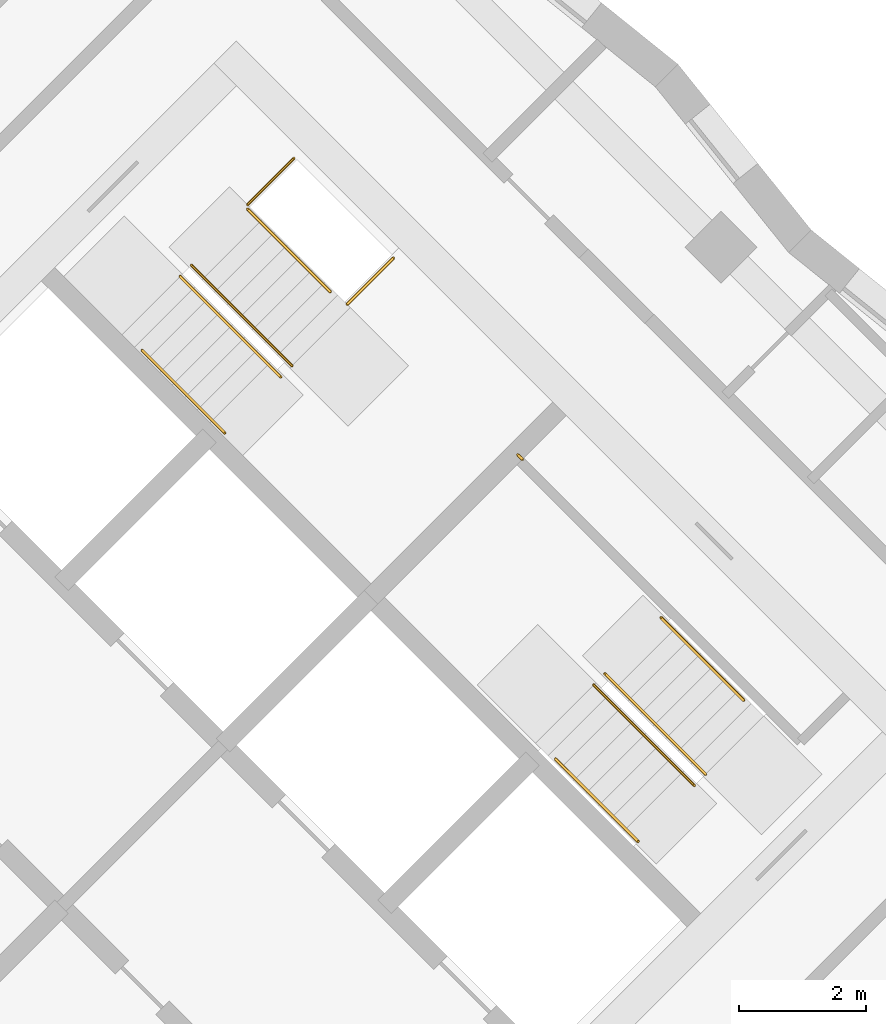
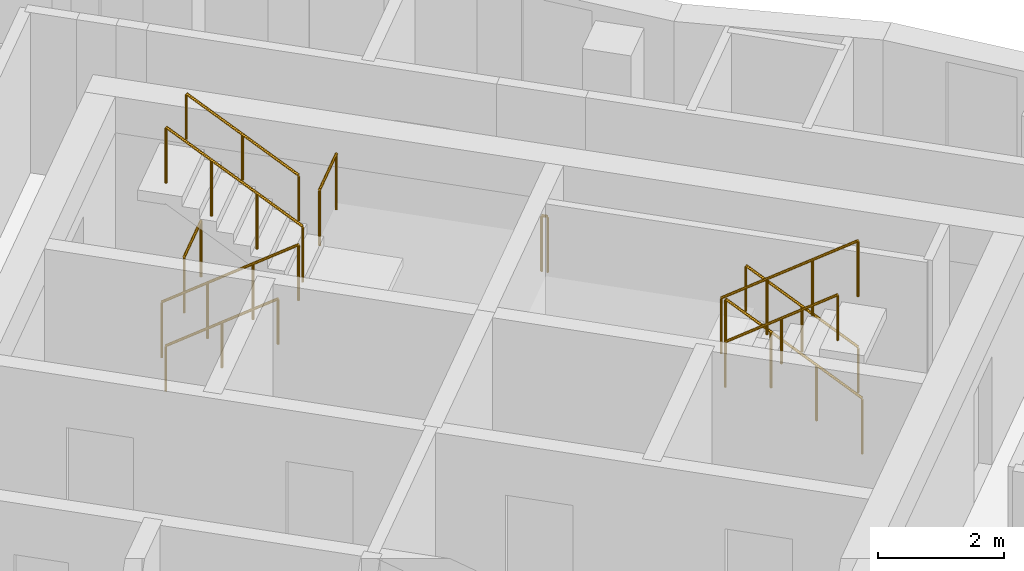
# One storey, part 11 of 11: 11 railings.
"""IFC4 building model written with IfcOpenShell, lengths in metres."""

from ifc_helpers import new_model, si_unit, direction, frame, origin, origin_2d, place, context, subcontext, project, spatial, circle, extrude, material, type_object, element, save


model = new_model("IFC4")

# Units and contexts
model_context = context("Model", 3, precision=1e-05, world=origin(), true_north=direction((0.0, 1.0)))
body_context = subcontext(model_context, "Body", "Model", "MODEL_VIEW")
ifc_project = project(units=[si_unit("LENGTHUNIT", "METRE"), si_unit("AREAUNIT", "SQUARE_METRE"), si_unit("VOLUMEUNIT", "CUBIC_METRE"), si_unit("PLANEANGLEUNIT", "RADIAN"), si_unit("MASSUNIT", "GRAM", prefix="KILO")], contexts=[model_context])

# Site, building, storey
site_placement = place(None, origin())
site = spatial("IfcSite", under=ifc_project, at=site_placement, CompositionType="ELEMENT")
building_placement = place(site_placement, origin())
building = spatial("IfcBuilding", under=site, at=building_placement, Name="Windrow Commons", CompositionType="ELEMENT")
storey_placement = place(building_placement, frame((0.0, 0.0, 196.4)))
storey = spatial("IfcBuildingStorey", under=building, at=storey_placement, Name="L53", CompositionType="ELEMENT", Elevation=196.4)

# Railings
ifc_material_1 = material(Name="Steel S355", Category="steel")
railing_type_1 = type_object("IfcRailingType", Name="Core stair guard 1100", PredefinedType="GUARDRAIL", material=ifc_material_1)
railing_1_placement = place(storey_placement, frame((85.9529, 56.2669, 0.1889)))
element("IfcRailing", 1, at=railing_1_placement, inside=storey, type_object=railing_type_1, Name="L53 ST-B1 stair guard 1", PredefinedType="GUARDRAIL", context=body_context, shape_type="SweptSolid", body=[
    extrude(circle(Radius=0.024, at=origin_2d()), frame((0.0, 0.0, 1.076), z_axis=(0.5861914914, -0.5861914914, 0.5592486664), x_axis=(0.7071067812, 0.7071067812, 0.0)), (0.0, 0.0, 1.0), 2.702),
    extrude(circle(Radius=0.021, at=origin_2d()), origin(), (0.0, 0.0, 1.0), 1.052),
    extrude(circle(Radius=0.021, at=origin_2d()), frame((0.528, -0.528, 0.5037)), (0.0, 0.0, 1.0), 1.052),
    extrude(circle(Radius=0.021, at=origin_2d()), frame((1.0559, -1.0559, 1.0074)), (0.0, 0.0, 1.0), 1.052),
    extrude(circle(Radius=0.021, at=origin_2d()), frame((1.5839, -1.5839, 1.5111)), (0.0, 0.0, 1.0), 1.052),
])
railing_2_placement = place(storey_placement, frame((87.7136, 54.8597, 1.8889)))
element("IfcRailing", 2, at=railing_2_placement, inside=storey, type_object=railing_type_1, Name="L53 ST-B1 stair guard 2", PredefinedType="GUARDRAIL", context=body_context, shape_type="SweptSolid", body=[
    extrude(circle(Radius=0.024, at=origin_2d()), frame((0.0, 0.0, 1.076), z_axis=(-0.5862030657, 0.5862030657, 0.5592244018), x_axis=(-0.7071067812, -0.7071067812, 0.0)), (0.0, 0.0, 1.0), 2.7021),
    extrude(circle(Radius=0.021, at=origin_2d()), origin(), (0.0, 0.0, 1.0), 1.052),
    extrude(circle(Radius=0.021, at=origin_2d()), frame((-0.528, 0.528, 0.5037)), (0.0, 0.0, 1.0), 1.052),
    extrude(circle(Radius=0.021, at=origin_2d()), frame((-1.056, 1.056, 1.0074)), (0.0, 0.0, 1.0), 1.052),
    extrude(circle(Radius=0.021, at=origin_2d()), frame((-1.584, 1.584, 1.5111)), (0.0, 0.0, 1.0), 1.052),
])
railing_3_placement = place(storey_placement, frame((87.0135, 57.3982, 0.0)))
element("IfcRailing", 3, at=railing_3_placement, inside=storey, type_object=railing_type_1, Name="L53 ST-B1 stair guard 3", PredefinedType="GUARDRAIL", context=body_context, shape_type="SweptSolid", body=[
    extrude(circle(Radius=0.024, at=origin_2d()), frame((0.0, 0.0, 1.076), z_axis=(0.7070582378, 0.7071553212, 0.0), x_axis=(-0.7071553212, 0.7070582378, 0.0)), (0.0, 0.0, 1.0), 1.03),
    extrude(circle(Radius=0.021, at=origin_2d()), origin(), (0.0, 0.0, 1.0), 1.052),
    extrude(circle(Radius=0.021, at=origin_2d()), frame((0.7283, 0.7284, 0.0)), (0.0, 0.0, 1.0), 1.052),
])
railing_4_placement = place(storey_placement, frame((88.5833, 55.8285, 1.7)))
element("IfcRailing", 4, at=railing_4_placement, inside=storey, type_object=railing_type_1, Name="L53 ST-B1 stair guard 4", PredefinedType="GUARDRAIL", context=body_context, shape_type="SweptSolid", body=[
    extrude(circle(Radius=0.024, at=origin_2d()), frame((0.0, 0.0, 1.076), z_axis=(0.7071067812, 0.7071067812, 0.0), x_axis=(-0.7071067812, 0.7071067812, 0.0)), (0.0, 0.0, 1.0), 1.03),
    extrude(circle(Radius=0.021, at=origin_2d()), origin(), (0.0, 0.0, 1.0), 1.052),
    extrude(circle(Radius=0.021, at=origin_2d()), frame((0.7283, 0.7283, 0.0)), (0.0, 0.0, 1.0), 1.052),
])
railing_5_placement = place(storey_placement, frame((94.2296, 48.4215, 0.1889)))
element("IfcRailing", 5, at=railing_5_placement, inside=storey, type_object=railing_type_1, Name="L53 ST-B2 stair guard 1", PredefinedType="GUARDRAIL", context=body_context, shape_type="SweptSolid", body=[
    extrude(circle(Radius=0.024, at=origin_2d()), frame((0.0, 0.0, 1.076), z_axis=(-0.5862157828, 0.5861787742, 0.5592365337), x_axis=(-0.7070844598, -0.7071291018, 0.0)), (0.0, 0.0, 1.0), 2.7021),
    extrude(circle(Radius=0.021, at=origin_2d()), origin(), (0.0, 0.0, 1.0), 1.052),
    extrude(circle(Radius=0.021, at=origin_2d()), frame((-0.528, 0.528, 0.5037)), (0.0, 0.0, 1.0), 1.052),
    extrude(circle(Radius=0.021, at=origin_2d()), frame((-1.056, 1.0559, 1.0074)), (0.0, 0.0, 1.0), 1.052),
    extrude(circle(Radius=0.021, at=origin_2d()), frame((-1.584, 1.5839, 1.5111)), (0.0, 0.0, 1.0), 1.052),
])
railing_6_placement = place(storey_placement, frame((92.4689, 49.8287, 1.8889)))
element("IfcRailing", 6, at=railing_6_placement, inside=storey, type_object=railing_type_1, Name="L53 ST-B2 stair guard 2", PredefinedType="GUARDRAIL", context=body_context, shape_type="SweptSolid", body=[
    extrude(circle(Radius=0.024, at=origin_2d()), frame((0.0, 0.0, 1.076), z_axis=(0.5861787742, -0.5862157828, 0.5592365337), x_axis=(0.7071291018, 0.7070844598, 0.0)), (0.0, 0.0, 1.0), 2.7021),
    extrude(circle(Radius=0.021, at=origin_2d()), origin(), (0.0, 0.0, 1.0), 1.052),
    extrude(circle(Radius=0.021, at=origin_2d()), frame((0.528, -0.528, 0.5037)), (0.0, 0.0, 1.0), 1.052),
    extrude(circle(Radius=0.021, at=origin_2d()), frame((1.0559, -1.056, 1.0074)), (0.0, 0.0, 1.0), 1.052),
    extrude(circle(Radius=0.021, at=origin_2d()), frame((1.5839, -1.584, 1.5111)), (0.0, 0.0, 1.0), 1.052),
])
railing_7_placement = place(storey_placement, frame((91.3446, 53.3854, 1.7)))
element("IfcRailing", 7, at=railing_7_placement, inside=storey, type_object=railing_type_1, Name="L53 ST-B2 stair guard 3", PredefinedType="GUARDRAIL", context=body_context, shape_type="SweptSolid", body=[
    extrude(circle(Radius=0.024, at=origin_2d()), frame((0.0, 0.0, 1.076), z_axis=(-0.7076063266, 0.7066068826, 0.0), x_axis=(-0.7066068826, -0.7076063266, 0.0)), (0.0, 0.0, 1.0), 0.1001),
    extrude(circle(Radius=0.021, at=origin_2d()), origin(), (0.0, 0.0, 1.0), 1.052),
    extrude(circle(Radius=0.021, at=origin_2d()), frame((-0.0708, 0.0707, 0.0)), (0.0, 0.0, 1.0), 1.052),
])
ifc_material_2 = material(Name="Steel S355", Category="steel")
railing_type_2 = type_object("IfcRailingType", Name="Core stair handrail 900", PredefinedType="HANDRAIL", material=ifc_material_2)
railing_8_placement = place(storey_placement, frame((85.3518, 55.1001, 0.4587)))
element("IfcRailing", 8, at=railing_8_placement, inside=storey, type_object=railing_type_2, Name="L53 ST-B1 stair handrail 1", PredefinedType="HANDRAIL", context=body_context, shape_type="SweptSolid", body=[
    extrude(circle(Radius=0.024, at=origin_2d()), frame((0.0, 0.0, 0.876), z_axis=(0.586206706, -0.5861616513, 0.5592639952), x_axis=(0.7070796062, 0.7071339551, 0.0)), (0.0, 0.0, 1.0), 2.2195),
    extrude(circle(Radius=0.021, at=origin_2d()), origin(), (0.0, 0.0, 1.0), 0.852),
    extrude(circle(Radius=0.021, at=origin_2d()), frame((0.6506, -0.6505, 0.6206)), (0.0, 0.0, 1.0), 0.852),
    extrude(circle(Radius=0.021, at=origin_2d()), frame((1.3011, -1.301, 1.2413)), (0.0, 0.0, 1.0), 0.852),
])
railing_9_placement = place(storey_placement, frame((88.3146, 56.0265, 2.1587)))
element("IfcRailing", 9, at=railing_9_placement, inside=storey, type_object=railing_type_2, Name="L53 ST-B1 stair handrail 2", PredefinedType="HANDRAIL", context=body_context, shape_type="SweptSolid", body=[
    extrude(circle(Radius=0.024, at=origin_2d()), frame((0.0, 0.0, 0.876), z_axis=(-0.586206706, 0.5861616513, 0.5592639952), x_axis=(-0.7070796062, -0.7071339551, 0.0)), (0.0, 0.0, 1.0), 2.2195),
    extrude(circle(Radius=0.021, at=origin_2d()), origin(), (0.0, 0.0, 1.0), 0.852),
    extrude(circle(Radius=0.021, at=origin_2d()), frame((-0.6506, 0.6505, 0.6207)), (0.0, 0.0, 1.0), 0.852),
    extrude(circle(Radius=0.021, at=origin_2d()), frame((-1.3011, 1.301, 1.2413)), (0.0, 0.0, 1.0), 0.852),
])
railing_10_placement = place(storey_placement, frame((94.8306, 49.5883, 0.4587)))
element("IfcRailing", 10, at=railing_10_placement, inside=storey, type_object=railing_type_2, Name="L53 ST-B2 stair handrail 1", PredefinedType="HANDRAIL", context=body_context, shape_type="SweptSolid", body=[
    extrude(circle(Radius=0.024, at=origin_2d()), frame((0.0, 0.0, 0.876), z_axis=(-0.586206706, 0.5861616513, 0.5592639952), x_axis=(-0.7070796062, -0.7071339551, 0.0)), (0.0, 0.0, 1.0), 2.2195),
    extrude(circle(Radius=0.021, at=origin_2d()), origin(), (0.0, 0.0, 1.0), 0.852),
    extrude(circle(Radius=0.021, at=origin_2d()), frame((-0.6506, 0.6505, 0.6206)), (0.0, 0.0, 1.0), 0.852),
    extrude(circle(Radius=0.021, at=origin_2d()), frame((-1.3011, 1.301, 1.2413)), (0.0, 0.0, 1.0), 0.852),
])
railing_11_placement = place(storey_placement, frame((91.8678, 48.6619, 2.1587)))
element("IfcRailing", 11, at=railing_11_placement, inside=storey, type_object=railing_type_2, Name="L53 ST-B2 stair handrail 2", PredefinedType="HANDRAIL", context=body_context, shape_type="SweptSolid", body=[
    extrude(circle(Radius=0.024, at=origin_2d()), frame((0.0, 0.0, 0.876), z_axis=(0.586206706, -0.5861616513, 0.5592639952), x_axis=(0.7070796062, 0.7071339551, 0.0)), (0.0, 0.0, 1.0), 2.2195),
    extrude(circle(Radius=0.021, at=origin_2d()), origin(), (0.0, 0.0, 1.0), 0.852),
    extrude(circle(Radius=0.021, at=origin_2d()), frame((0.6505, -0.6505, 0.6207)), (0.0, 0.0, 1.0), 0.852),
    extrude(circle(Radius=0.021, at=origin_2d()), frame((1.3011, -1.301, 1.2413)), (0.0, 0.0, 1.0), 0.852),
])

save(model, "model.ifc")
